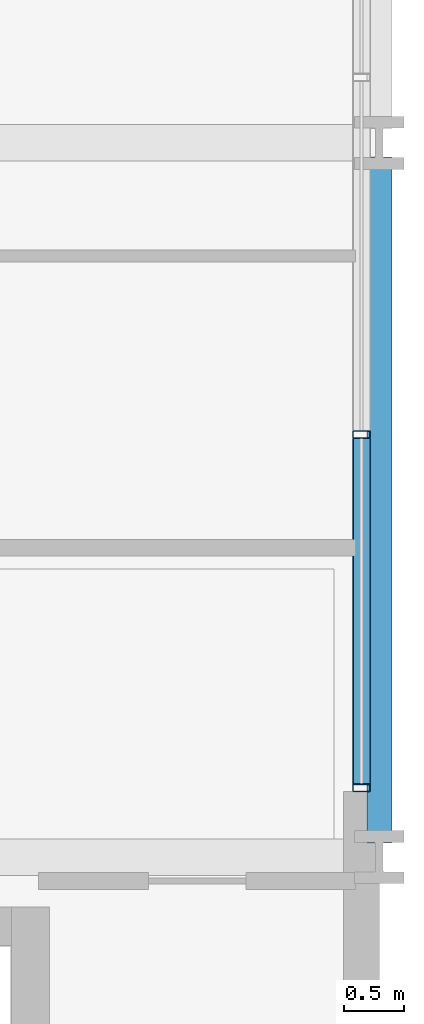
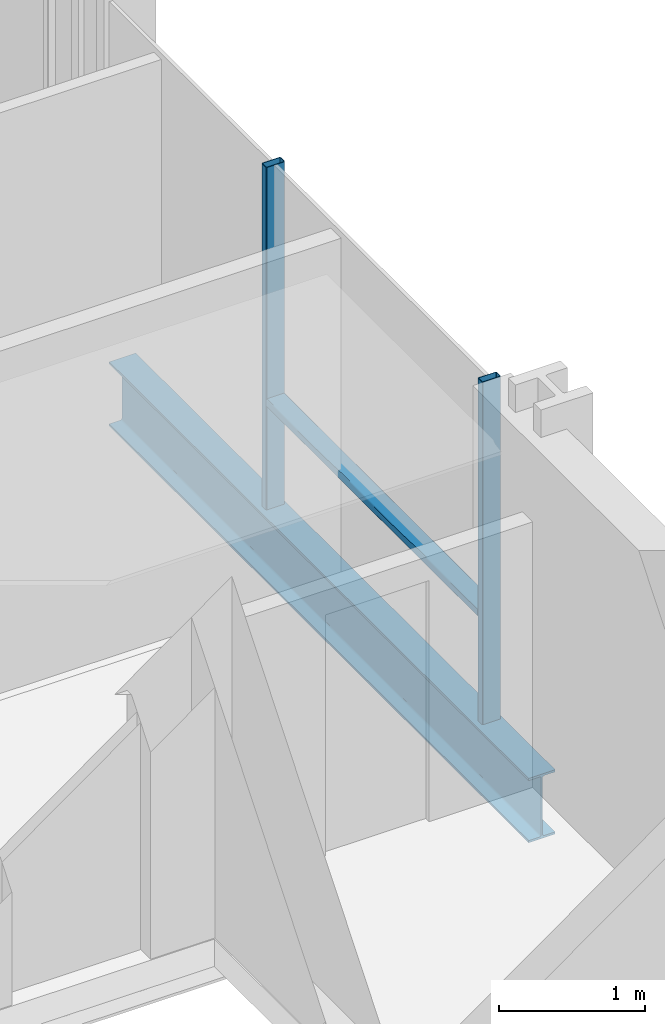
# One storey, part 15 of 41: 3 members, 1 beam, 1 element without a shape of its own.
"""IFC4 building model written with IfcOpenShell, lengths in metres."""

from ifc_helpers import new_model, si_unit, direction, frame, origin, origin_2d, place, context, subcontext, project, spatial, hollow_rectangle, i_section, extrude, material, layer, layer_set, material_profile, profile_set, type_object, element, aggregate, save


model = new_model("IFC4")

# Units and contexts
model_context = context("Model", 3, precision=1e-05, world=origin(), true_north=direction((0.0, 1.0)))
body_context = subcontext(model_context, "Body", "Model", "MODEL_VIEW")
ifc_project = project(units=[si_unit("LENGTHUNIT", "METRE"), si_unit("AREAUNIT", "SQUARE_METRE"), si_unit("VOLUMEUNIT", "CUBIC_METRE"), si_unit("PLANEANGLEUNIT", "RADIAN"), si_unit("MASSUNIT", "GRAM", prefix="KILO")], contexts=[model_context])

# Site, building, storey
site_placement = place(None, origin())
site = spatial("IfcSite", under=ifc_project, at=site_placement, CompositionType="ELEMENT")
building_placement = place(site_placement, origin())
building = spatial("IfcBuilding", under=site, at=building_placement, Name="Brevholm Reach", CompositionType="ELEMENT")
storey_placement = place(building_placement, frame((0.0, 0.0, 43.5)))
storey = spatial("IfcBuildingStorey", under=building, at=storey_placement, Name="L11", CompositionType="ELEMENT", Elevation=43.5)

# Beam
ifc_material_1 = material(Name="Structural Steel S355J2", Category="steel")
ifc_material_profile_1 = material_profile(ifc_material_1, i_section(OverallWidth=0.210693359375, OverallDepth=0.53955078125, WebThickness=0.01171875, FlangeThickness=0.018798828125, FilletRadius=0.0126953125, at=origin_2d()), Name="UKB 533x210x109")
ifc_profile_set_1 = profile_set([ifc_material_profile_1], Name="Structural Steel S355J2")
beam_type = type_object("IfcBeamType", Name="BM-SP539", PredefinedType="SPANDREL", material=ifc_profile_set_1)
beam_placement = place(storey_placement, frame((60.0, 10.1201171875, -0.499755859375), z_axis=(0.0, 1.0, 0.0), x_axis=(-1.0, 0.0, 0.0)))
element("IfcBeam", 1, at=beam_placement, inside=storey, type_object=beam_type, Name="L11 SP-01B Framing Beam", PredefinedType="SPANDREL", context=body_context, shape_type="SweptSolid", body=[
    extrude(i_section(OverallWidth=0.210693359375, OverallDepth=0.53955078125, WebThickness=0.01171875, FlangeThickness=0.018798828125, FilletRadius=0.0126953125, at=origin_2d()), origin(), (0.0, 0.0, 1.0), 5.759765625),
])

# Curtain wall, members
ifc_material_2 = material(Name="Dark Anodised Aluminium 6063-T6 and Solar-Control Glass", Category="aluminium")
ifc_layer = layer(ifc_material_2, 0.14990234375)
ifc_layer_set = layer_set([ifc_layer], Name="Dark Anodised Aluminium 6063-T6 and Solar-Control Glass")
curtain_wall_type = type_object("IfcCurtainWallType", Name="CW-01", PredefinedType="NOTDEFINED", material=ifc_layer_set)
curtain_wall_placement = place(storey_placement, origin())
curtain_wall = element("IfcCurtainWall", 2, at=curtain_wall_placement, inside=storey, type_object=curtain_wall_type, Name="L11 Curtain Wall CW-01", PredefinedType="NOTDEFINED")
ifc_material_3 = material(Name="Dark Anodised Aluminium 6063-T6", Category="aluminium")
ifc_material_profile_2 = material_profile(ifc_material_3, hollow_rectangle(XDim=0.06494140625, YDim=0.14990234375, WallThickness=0.0048828125, InnerFilletRadius=0.0048828125, OuterFilletRadius=0.010009765625, at=origin_2d()), Name="RHS 150x65x5")
ifc_profile_set_2 = profile_set([ifc_material_profile_2], Name="Dark Anodised Aluminium 6063-T6")
member_type_1 = type_object("IfcMemberType", Name="CWM-150", PredefinedType="MULLION", material=ifc_profile_set_2)
member_1_placement = place(storey_placement, frame((59.85009765625, 10.58251953125, 0.0), z_axis=(0.0, 0.0, 1.0), x_axis=(0.0, 1.0, 0.0)))
member_1 = element("IfcMember", 3, at=member_1_placement, type_object=member_type_1, Name="CM-150 Mullion 1", PredefinedType="MULLION", context=body_context, shape_type="SweptSolid", body=[
    extrude(hollow_rectangle(XDim=0.06494140625, YDim=0.14990234375, WallThickness=0.0048828125, InnerFilletRadius=0.0048828125, OuterFilletRadius=0.010009765625, at=origin_2d()), origin(), (0.0, 0.0, 1.0), 2.8701171875),
])
member_2_placement = place(storey_placement, frame((59.85009765625, 13.550048828125, 0.0), z_axis=(0.0, 0.0, 1.0), x_axis=(0.0, 1.0, 0.0)))
member_2 = element("IfcMember", 4, at=member_2_placement, type_object=member_type_1, Name="CM-150 Mullion 2", PredefinedType="MULLION", context=body_context, shape_type="SweptSolid", body=[
    extrude(hollow_rectangle(XDim=0.06494140625, YDim=0.14990234375, WallThickness=0.0048828125, InnerFilletRadius=0.0048828125, OuterFilletRadius=0.010009765625, at=origin_2d()), origin(), (0.0, 0.0, 1.0), 2.8701171875),
])
ifc_material_4 = material(Name="Dark Anodised Aluminium 6063-T6", Category="aluminium")
ifc_material_profile_3 = material_profile(ifc_material_4, hollow_rectangle(XDim=0.06494140625, YDim=0.14990234375, WallThickness=0.0048828125, InnerFilletRadius=0.0048828125, OuterFilletRadius=0.010009765625, at=origin_2d()), Name="RHS 150x65x5")
ifc_profile_set_3 = profile_set([ifc_material_profile_3], Name="Dark Anodised Aluminium 6063-T6")
member_type_2 = type_object("IfcMemberType", Name="CWT-150", PredefinedType="NOTDEFINED", material=ifc_profile_set_3)
member_3_placement = place(storey_placement, frame((59.85009765625, 10.614990234375, 0.89990234375), z_axis=(0.0, 1.0, 0.0), x_axis=(0.0, 0.0, 1.0)))
member_3 = element("IfcMember", 5, at=member_3_placement, type_object=member_type_2, Name="CT-150 Transom 1.1", ObjectType="TRANSOM", PredefinedType="USERDEFINED", context=body_context, shape_type="SweptSolid", body=[
    extrude(hollow_rectangle(XDim=0.06494140625, YDim=0.14990234375, WallThickness=0.0048828125, InnerFilletRadius=0.0048828125, OuterFilletRadius=0.010009765625, at=origin_2d()), origin(), (0.0, 0.0, 1.0), 2.902587890625),
])
aggregate(curtain_wall, [member_1, member_2, member_3])

save(model, "model.ifc")
